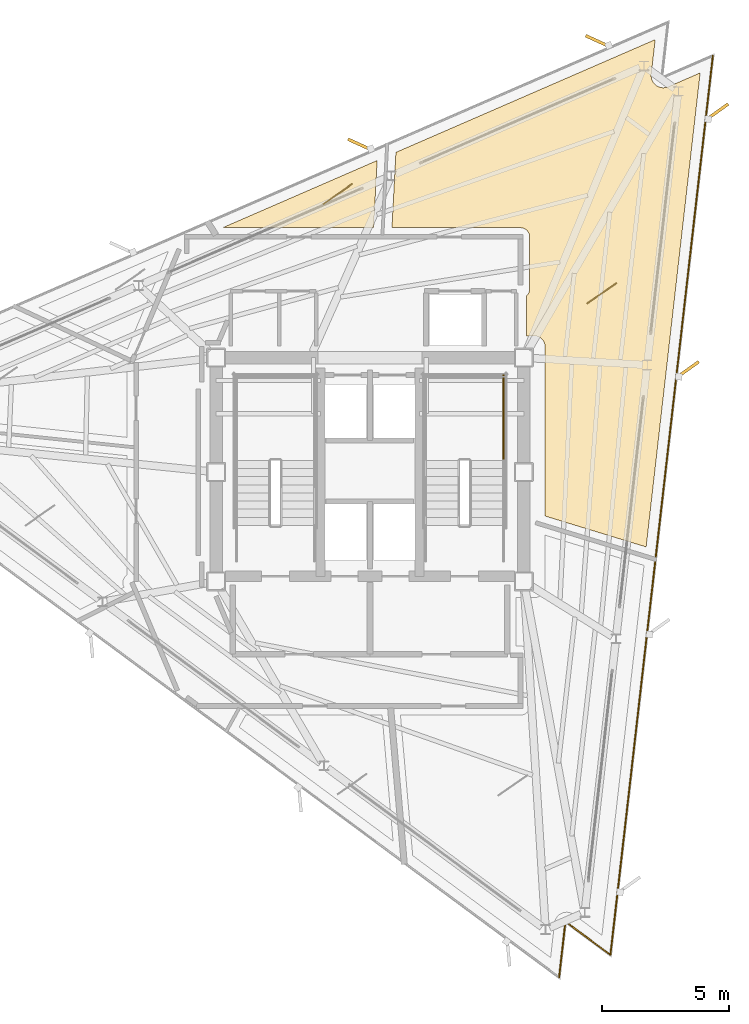
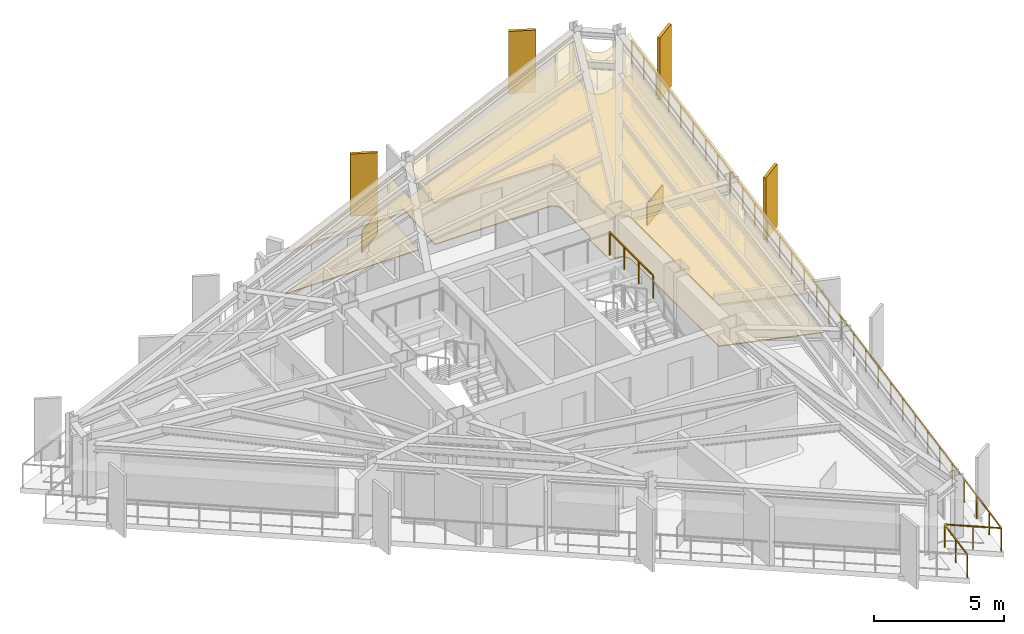
# One storey, part 10 of 10: 6 coverings, 4 shading devices, 2 railings.
"""IFC4 building model written with IfcOpenShell, lengths in metres."""

from ifc_helpers import new_model, si_unit, direction, frame, origin, origin_2d, place, context, subcontext, project, spatial, polyline, rectangle, outline, extrude, material, layer, layer_set, type_object, element, save


model = new_model("IFC4")

# Units and contexts
model_context = context("Model", 3, precision=1e-05, world=origin(), true_north=direction((0.0, 1.0)))
body_context = subcontext(model_context, "Body", "Model", "MODEL_VIEW")
ifc_project = project(units=[si_unit("LENGTHUNIT", "METRE"), si_unit("AREAUNIT", "SQUARE_METRE"), si_unit("VOLUMEUNIT", "CUBIC_METRE"), si_unit("PLANEANGLEUNIT", "RADIAN"), si_unit("MASSUNIT", "GRAM", prefix="KILO")], contexts=[model_context])

# Site, building, storey
site_placement = place(None, origin())
site = spatial("IfcSite", under=ifc_project, at=site_placement, CompositionType="ELEMENT")
building_placement = place(site_placement, origin())
building = spatial("IfcBuilding", under=site, at=building_placement, Name="Rocaltana Carrier Exchange", CompositionType="ELEMENT")
storey_placement = place(building_placement, frame((0.0, 0.0, 227.0400390625)))
storey = spatial("IfcBuildingStorey", under=building, at=storey_placement, Name="L72", CompositionType="ELEMENT", Elevation=227.0400390625)

# Coverings
ifc_material_1 = material(Name="Honed Bogota Sandstone Tile", Category="masonry")
ifc_layer_1 = layer(ifc_material_1, 0.0400390625)
ifc_layer_set_1 = layer_set([ifc_layer_1], Name="Honed Bogota Sandstone Tile")
covering_type_1 = type_object("IfcCoveringType", Name="Honed Stone Lobby Flooring 40", PredefinedType="FLOORING", material=ifc_layer_set_1)
covering_1_placement = place(storey_placement, origin())
element("IfcCovering", 1, at=covering_1_placement, inside=storey, type_object=covering_type_1, Name="L72 Cloud Architecture Office Finish Floor", PredefinedType="FLOORING", context=body_context, shape_type="SweptSolid", body=[
    extrude(outline(polyline([(6.159912109375, 6.931884765625), (6.16455078125, 6.93603515625), (6.18408203125, 6.955322265625), (6.189208984375, 6.961181640625), (6.206787109375, 6.982421875), (6.21142578125, 6.98876953125), (6.226806640625, 7.01171875), (6.230712890625, 7.018310546875), (6.24365234375, 7.04248046875), (6.2470703125, 7.0498046875), (6.257568359375, 7.0751953125), (6.26025390625, 7.08251953125), (6.268310546875, 7.108642578125), (6.27001953125, 7.116455078125), (6.275390625, 7.143310546875), (6.276611328125, 7.151123046875), (6.279296875, 7.178466796875), (6.27978515625, 7.186279296875), (6.280029296875, 7.199951171875), (6.280029296875, 9.25), (6.27978515625, 9.263671875), (6.279296875, 9.271484375), (6.276611328125, 9.298828125), (6.275390625, 9.306640625), (6.27001953125, 9.33349609375), (6.268310546875, 9.34130859375), (6.26025390625, 9.36767578125), (6.257568359375, 9.375), (6.2470703125, 9.400390625), (6.24365234375, 9.407470703125), (6.230712890625, 9.431640625), (6.226806640625, 9.4384765625), (6.21142578125, 9.461181640625), (6.206787109375, 9.467529296875), (6.189208984375, 9.48876953125), (6.18408203125, 9.49462890625), (6.16455078125, 9.513916015625), (6.15869140625, 9.519287109375), (6.137451171875, 9.53662109375), (6.131103515625, 9.54150390625), (6.1083984375, 9.556640625), (6.101806640625, 9.560791015625), (6.077392578125, 9.57373046875), (6.0703125, 9.576904296875), (6.044921875, 9.58740234375), (6.03759765625, 9.590087890625), (6.01123046875, 9.59814453125), (6.003662109375, 9.60009765625), (5.976806640625, 9.60546875), (5.968994140625, 9.606689453125), (5.941650390625, 9.609375), (5.93359375, 9.609619140625), (5.919921875, 9.610107421875), (0.864013671875, 9.610107421875), (1.01953125, 12.57421875), (11.217041015625, 17.00830078125), (11.06201171875, 15.648193359375), (11.060791015625, 15.634521484375), (11.0595703125, 15.614501953125), (11.05908203125, 15.586669921875), (11.059814453125, 15.566650390625), (11.062255859375, 15.538818359375), (11.06494140625, 15.51904296875), (11.070068359375, 15.49169921875), (11.07470703125, 15.472412109375), (11.08251953125, 15.445556640625), (11.089111328125, 15.4267578125), (11.099609375, 15.40087890625), (11.10791015625, 15.3828125), (11.12109375, 15.358154296875), (11.131103515625, 15.3408203125), (11.146484375, 15.317626953125), (11.158447265625, 15.301513671875), (11.176025390625, 15.27978515625), (11.189453125, 15.26513671875), (11.209228515625, 15.245361328125), (11.223876953125, 15.23193359375), (11.24560546875, 15.21435546875), (11.261474609375, 15.202392578125), (11.284912109375, 15.18701171875), (11.302001953125, 15.1767578125), (11.32666015625, 15.163818359375), (11.344482421875, 15.1552734375), (11.37060546875, 15.144775390625), (11.389404296875, 15.13818359375), (11.416015625, 15.130126953125), (11.435302734375, 15.12548828125), (11.462890625, 15.1201171875), (11.482666015625, 15.117431640625), (11.510498046875, 15.114990234375), (11.5302734375, 15.1142578125), (11.55810546875, 15.114501953125), (11.578125, 15.11572265625), (11.60595703125, 15.118896484375), (11.62548828125, 15.1220703125), (11.65283203125, 15.1279296875), (11.672119140625, 15.133056640625), (11.69873046875, 15.1416015625), (11.71728515625, 15.148681640625), (11.730224609375, 15.15380859375), (12.985595703125, 15.699462890625), (10.861328125, -2.944091796875), (6.889892578125, -1.72998046875), (6.889892578125, 4.919921875), (6.8896484375, 4.93359375), (6.888916015625, 4.949462890625), (6.88623046875, 4.976806640625), (6.8837890625, 4.9921875), (6.87841796875, 5.019287109375), (6.874755859375, 5.034423828125), (6.86669921875, 5.060791015625), (6.861572265625, 5.07568359375), (6.850830078125, 5.100830078125), (6.84423828125, 5.114990234375), (6.831298828125, 5.139404296875), (6.8232421875, 5.15283203125), (6.807861328125, 5.17578125), (6.798583984375, 5.188232421875), (6.781005859375, 5.20947265625), (6.7705078125, 5.22119140625), (6.751220703125, 5.240478515625), (6.739501953125, 5.251220703125), (6.71826171875, 5.2685546875), (6.705810546875, 5.27783203125), (6.682861328125, 5.293212890625), (6.66943359375, 5.30126953125), (6.64501953125, 5.314208984375), (6.630859375, 5.32080078125), (6.605712890625, 5.33154296875), (6.5908203125, 5.336669921875), (6.564453125, 5.3447265625), (6.54931640625, 5.348388671875), (6.522216796875, 5.35400390625), (6.5068359375, 5.356201171875), (6.4794921875, 5.35888671875), (6.463623046875, 5.359619140625), (6.449951171875, 5.360107421875), (6.159912109375, 5.360107421875), (6.159912109375, 6.931884765625)])), origin(), (0.0, 0.0, 1.0), 0.0400390625),
])
covering_2_placement = place(storey_placement, origin())
element("IfcCovering", 2, at=covering_2_placement, inside=storey, type_object=covering_type_1, Name="L72 Peering Conference Room Finish Floor", PredefinedType="FLOORING", context=body_context, shape_type="SweptSolid", body=[
    extrude(outline(polyline([(-5.797607421875, 9.610107421875), (0.28173828125, 12.25341796875), (0.14306640625, 9.610107421875), (-5.797607421875, 9.610107421875)])), origin(), (0.0, 0.0, 1.0), 0.0400390625),
])
ifc_material_2 = material(Name="Anodised Aluminium 6063-T6", Category="aluminium")
ifc_layer_2 = layer(ifc_material_2, 0.0849609375)
ifc_layer_set_2 = layer_set([ifc_layer_2], Name="Anodised Aluminium 6063-T6")
covering_type_2 = type_object("IfcCoveringType", Name="Linear Baffle Acoustic Ceiling 85", PredefinedType="CEILING", material=ifc_layer_set_2)
covering_3_placement = place(storey_placement, frame((0.0, 0.0, 1.903076171875)))
element("IfcCovering", 3, at=covering_3_placement, inside=storey, type_object=covering_type_2, Name="L72 Cloud Architecture Office Acoustic Ceiling", PredefinedType="CEILING", context=body_context, shape_type="SweptSolid", body=[
    extrude(outline(polyline([(6.159912109375, 6.931884765625), (6.16455078125, 6.93603515625), (6.18408203125, 6.955322265625), (6.189208984375, 6.961181640625), (6.206787109375, 6.982421875), (6.21142578125, 6.98876953125), (6.226806640625, 7.01171875), (6.230712890625, 7.018310546875), (6.24365234375, 7.04248046875), (6.2470703125, 7.0498046875), (6.257568359375, 7.0751953125), (6.26025390625, 7.08251953125), (6.268310546875, 7.108642578125), (6.27001953125, 7.116455078125), (6.275390625, 7.143310546875), (6.276611328125, 7.151123046875), (6.279296875, 7.178466796875), (6.27978515625, 7.186279296875), (6.280029296875, 7.199951171875), (6.280029296875, 9.25), (6.27978515625, 9.263671875), (6.279296875, 9.271484375), (6.276611328125, 9.298828125), (6.275390625, 9.306640625), (6.27001953125, 9.33349609375), (6.268310546875, 9.34130859375), (6.26025390625, 9.36767578125), (6.257568359375, 9.375), (6.2470703125, 9.400390625), (6.24365234375, 9.407470703125), (6.230712890625, 9.431640625), (6.226806640625, 9.4384765625), (6.21142578125, 9.461181640625), (6.206787109375, 9.467529296875), (6.189208984375, 9.48876953125), (6.18408203125, 9.49462890625), (6.16455078125, 9.513916015625), (6.15869140625, 9.519287109375), (6.137451171875, 9.53662109375), (6.131103515625, 9.54150390625), (6.1083984375, 9.556640625), (6.101806640625, 9.560791015625), (6.077392578125, 9.57373046875), (6.0703125, 9.576904296875), (6.044921875, 9.58740234375), (6.03759765625, 9.590087890625), (6.01123046875, 9.59814453125), (6.003662109375, 9.60009765625), (5.976806640625, 9.60546875), (5.968994140625, 9.606689453125), (5.941650390625, 9.609375), (5.93359375, 9.609619140625), (5.919921875, 9.610107421875), (0.864013671875, 9.610107421875), (1.01953125, 12.57421875), (11.217041015625, 17.00830078125), (11.06201171875, 15.648193359375), (11.060791015625, 15.634521484375), (11.0595703125, 15.614501953125), (11.05908203125, 15.586669921875), (11.059814453125, 15.566650390625), (11.062255859375, 15.538818359375), (11.06494140625, 15.51904296875), (11.070068359375, 15.49169921875), (11.07470703125, 15.472412109375), (11.08251953125, 15.445556640625), (11.089111328125, 15.4267578125), (11.099609375, 15.40087890625), (11.10791015625, 15.3828125), (11.12109375, 15.358154296875), (11.131103515625, 15.3408203125), (11.146484375, 15.317626953125), (11.158447265625, 15.301513671875), (11.176025390625, 15.27978515625), (11.189453125, 15.26513671875), (11.209228515625, 15.245361328125), (11.223876953125, 15.23193359375), (11.24560546875, 15.21435546875), (11.261474609375, 15.202392578125), (11.284912109375, 15.18701171875), (11.302001953125, 15.1767578125), (11.32666015625, 15.163818359375), (11.344482421875, 15.1552734375), (11.37060546875, 15.144775390625), (11.389404296875, 15.13818359375), (11.416015625, 15.130126953125), (11.435302734375, 15.12548828125), (11.462890625, 15.1201171875), (11.482666015625, 15.117431640625), (11.510498046875, 15.114990234375), (11.5302734375, 15.1142578125), (11.55810546875, 15.114501953125), (11.578125, 15.11572265625), (11.60595703125, 15.118896484375), (11.62548828125, 15.1220703125), (11.65283203125, 15.1279296875), (11.672119140625, 15.133056640625), (11.69873046875, 15.1416015625), (11.71728515625, 15.148681640625), (11.730224609375, 15.15380859375), (12.985595703125, 15.699462890625), (10.861328125, -2.944091796875), (6.889892578125, -1.72998046875), (6.889892578125, 4.919921875), (6.8896484375, 4.93359375), (6.888916015625, 4.949462890625), (6.88623046875, 4.976806640625), (6.8837890625, 4.9921875), (6.87841796875, 5.019287109375), (6.874755859375, 5.034423828125), (6.86669921875, 5.060791015625), (6.861572265625, 5.07568359375), (6.850830078125, 5.100830078125), (6.84423828125, 5.114990234375), (6.831298828125, 5.139404296875), (6.8232421875, 5.15283203125), (6.807861328125, 5.17578125), (6.798583984375, 5.188232421875), (6.781005859375, 5.20947265625), (6.7705078125, 5.22119140625), (6.751220703125, 5.240478515625), (6.739501953125, 5.251220703125), (6.71826171875, 5.2685546875), (6.705810546875, 5.27783203125), (6.682861328125, 5.293212890625), (6.66943359375, 5.30126953125), (6.64501953125, 5.314208984375), (6.630859375, 5.32080078125), (6.605712890625, 5.33154296875), (6.5908203125, 5.336669921875), (6.564453125, 5.3447265625), (6.54931640625, 5.348388671875), (6.522216796875, 5.35400390625), (6.5068359375, 5.356201171875), (6.4794921875, 5.35888671875), (6.463623046875, 5.359619140625), (6.449951171875, 5.360107421875), (6.159912109375, 5.360107421875), (6.159912109375, 6.931884765625)])), origin(), (0.0, 0.0, 1.0), 0.0849609375),
])
covering_4_placement = place(storey_placement, frame((0.0, 0.0, 1.903076171875)))
element("IfcCovering", 4, at=covering_4_placement, inside=storey, type_object=covering_type_2, Name="L72 Peering Conference Room Acoustic Ceiling", PredefinedType="CEILING", context=body_context, shape_type="SweptSolid", body=[
    extrude(outline(polyline([(-5.797607421875, 9.610107421875), (0.28173828125, 12.25341796875), (0.14306640625, 9.610107421875), (-5.797607421875, 9.610107421875)])), origin(), (0.0, 0.0, 1.0), 0.0849609375),
])

# Railing
ifc_material_3 = material(Name="Powder-Coated Aluminium 6063-T6", Category="aluminium")
ifc_layer_3 = layer(ifc_material_3, 0.048095703125)
ifc_layer_set_3 = layer_set([ifc_layer_3], Name="Powder-Coated Aluminium 6063-T6")
railing_type_1 = type_object("IfcRailingType", Name="Stair Well Guardrail 1100", PredefinedType="GUARDRAIL", material=ifc_layer_set_3)
railing_1_placement = place(storey_placement, frame((5.25, 0.4599609375, 1.52001953125)))
element("IfcRailing", 5, at=railing_1_placement, inside=storey, type_object=railing_type_1, Name="L72 ST-2 stair guard 3", PredefinedType="GUARDRAIL", context=body_context, shape_type="SweptSolid", body=[
    extrude(rectangle(XDim=0.048095703125, YDim=0.048095703125, at=origin_2d()), frame((0.0, 0.0, 1.076171875), z_axis=(0.0, 1.0, 0.0), x_axis=(-1.0, 0.0, 0.0)), (0.0, 0.0, 1.0), 3.340087890625),
    extrude(rectangle(XDim=0.0419921875, YDim=0.0419921875, at=origin_2d()), origin(), (0.0, 0.0, 1.0), 1.052001953125),
    extrude(rectangle(XDim=0.0419921875, YDim=0.0419921875, at=origin_2d()), frame((0.0, 1.11328125, 0.0)), (0.0, 0.0, 1.0), 1.052001953125),
    extrude(rectangle(XDim=0.0419921875, YDim=0.0419921875, at=origin_2d()), frame((0.0, 2.226806640625, 0.0)), (0.0, 0.0, 1.0), 1.052001953125),
    extrude(rectangle(XDim=0.0419921875, YDim=0.0419921875, at=origin_2d()), frame((0.0, 3.340087890625, 0.0)), (0.0, 0.0, 1.0), 1.052001953125),
])

# Coverings
ifc_material_4 = material(Name="Honed Piedra Muneca Sandstone", Category="masonry")
ifc_layer_4 = layer(ifc_material_4, 0.034912109375)
ifc_layer_set_4 = layer_set([ifc_layer_4], Name="Honed Piedra Muneca Sandstone")
covering_type_3 = type_object("IfcCoveringType", Name="Stone Facade Cladding 35", PredefinedType="CLADDING", material=ifc_layer_set_4)
for number, where, z_axis, x_axis, name in (
    (6, (9.117431640625, 7.030517578125, 0.0), (0.0, 0.0, 1.0), (0.819152044289, 0.573576436351, 0.0), "L72 Stone Facade Cladding Panel 4"),
    (7, (-1.272705078125, 10.931640625, 0.0), (0.0, 0.0, 1.0), (0.819152044289, 0.573576436351, 0.0), "L72 Stone Facade Cladding Panel 5"),
):
    element("IfcCovering", number, at=place(storey_placement, frame(where, z_axis=z_axis, x_axis=x_axis)), inside=storey, type_object=covering_type_3, Name=name, PredefinedType="CLADDING", context=body_context, shape_type="SweptSolid", body=[
        extrude(rectangle(XDim=1.39990234375, YDim=0.034912109375, at=origin_2d()), origin(), (0.0, 0.0, 1.0), 1.050048828125),
    ])

# Shading devices
ifc_material_5 = material(Name="Honed Bogota Sandstone & Concrete C45/55", Category="masonry")
ifc_layer_5 = layer(ifc_material_5, 0.1201171875)
ifc_layer_set_5 = layer_set([ifc_layer_5], Name="Honed Bogota Sandstone & Concrete C45/55")
shading_device_type = type_object("IfcShadingDeviceType", Name="Upper Sandstone Shading Fin 1050x120", PredefinedType="USERDEFINED", material=ifc_layer_set_5)
for number, where, z_axis, x_axis, name in (
    (8, (12.502197265625, 4.03515625, -0.1201171875), (0.0, 0.0, 1.0), (0.814115518356, 0.580702955711, 0.0), "L72 Sandstone Vertical Fin F1-03"),
    (9, (13.656982421875, 14.169677734375, -0.1201171875), (0.0, 0.0, 1.0), (0.814115518356, 0.580702955711, 0.0), "L72 Sandstone Vertical Fin F1-04"),
    (10, (8.96240234375, 16.944091796875, -0.1201171875), (0.0, 0.0, 1.0), (-0.909961270877, 0.414693242656, 0.0), "L72 Sandstone Vertical Fin F2-01"),
    (11, (-0.3916015625, 12.876953125, -0.1201171875), (0.0, 0.0, 1.0), (-0.909961270877, 0.414693242656, 0.0), "L72 Sandstone Vertical Fin F2-02"),
):
    element("IfcShadingDevice", number, at=place(storey_placement, frame(where, z_axis=z_axis, x_axis=x_axis)), inside=storey, type_object=shading_device_type, Name=name, ObjectType="FIN", PredefinedType="USERDEFINED", context=body_context, shape_type="SweptSolid", body=[
        extrude(rectangle(XDim=1.050048828125, YDim=0.1201171875, at=origin_2d()), origin(), (0.0, 0.0, 1.0), 2.91796875),
    ])

# Railing
ifc_material_6 = material(Name="Powder-Coated Aluminium 6063-T6", Category="aluminium")
ifc_layer_6 = layer(ifc_material_6, 0.06005859375)
ifc_layer_set_6 = layer_set([ifc_layer_6], Name="Powder-Coated Aluminium 6063-T6")
railing_type_2 = type_object("IfcRailingType", Name="Wind-Floor & Terrace Perimeter Guardrail 1100", PredefinedType="GUARDRAIL", material=ifc_layer_set_6)
railing_2_placement = place(storey_placement, frame((13.485107421875, 16.374755859375, 0.0)))
element("IfcRailing", 12, at=railing_2_placement, inside=storey, type_object=railing_type_2, Name="L72 Perimeter Balcony Guardrail 3", PredefinedType="GUARDRAIL", context=body_context, shape_type="SweptSolid", body=[
    extrude(rectangle(XDim=0.048095703125, YDim=0.048095703125, at=origin_2d()), frame((0.0, 0.0, 1.076171875), z_axis=(-0.113200877656, -0.99357212184, 0.0), x_axis=(0.99357212184, -0.113200877656, 0.0)), (0.0, 0.0, 1.0), 35.592041015625),
    extrude(rectangle(XDim=0.048095703125, YDim=0.048095703125, at=origin_2d()), frame((-4.029052734375, -35.36328125, 1.076171875), z_axis=(-0.803871612758, 0.59480284986, 0.0), x_axis=(-0.59480284986, -0.803871612758, 0.0)), (0.0, 0.0, 1.0), 2.199951171875),
    extrude(rectangle(XDim=0.048095703125, YDim=0.048095703125, at=origin_2d()), frame((-5.797607421875, -34.0546875, 1.076171875), z_axis=(-0.113183557839, -0.99357409499, 0.0), x_axis=(0.99357409499, -0.113183557839, 0.0)), (0.0, 0.0, 1.0), 2.2001953125),
    extrude(rectangle(XDim=0.0419921875, YDim=0.0419921875, at=origin_2d()), origin(), (0.0, 0.0, 1.0), 1.052001953125),
    extrude(rectangle(XDim=0.0419921875, YDim=0.0419921875, at=origin_2d()), frame((-0.13427734375, -1.1787109375, 0.0)), (0.0, 0.0, 1.0), 1.052001953125),
    extrude(rectangle(XDim=0.0419921875, YDim=0.0419921875, at=origin_2d()), frame((-0.2685546875, -2.357666015625, 0.0)), (0.0, 0.0, 1.0), 1.052001953125),
    extrude(rectangle(XDim=0.0419921875, YDim=0.0419921875, at=origin_2d()), frame((-0.40283203125, -3.536376953125, 0.0)), (0.0, 0.0, 1.0), 1.052001953125),
    extrude(rectangle(XDim=0.0419921875, YDim=0.0419921875, at=origin_2d()), frame((-0.537109375, -4.715087890625, 0.0)), (0.0, 0.0, 1.0), 1.052001953125),
    extrude(rectangle(XDim=0.0419921875, YDim=0.0419921875, at=origin_2d()), frame((-0.67138671875, -5.893798828125, 0.0)), (0.0, 0.0, 1.0), 1.052001953125),
    extrude(rectangle(XDim=0.0419921875, YDim=0.0419921875, at=origin_2d()), frame((-0.805908203125, -7.07275390625, 0.0)), (0.0, 0.0, 1.0), 1.052001953125),
    extrude(rectangle(XDim=0.0419921875, YDim=0.0419921875, at=origin_2d()), frame((-0.940185546875, -8.25146484375, 0.0)), (0.0, 0.0, 1.0), 1.052001953125),
    extrude(rectangle(XDim=0.0419921875, YDim=0.0419921875, at=origin_2d()), frame((-1.074462890625, -9.43017578125, 0.0)), (0.0, 0.0, 1.0), 1.052001953125),
    extrude(rectangle(XDim=0.0419921875, YDim=0.0419921875, at=origin_2d()), frame((-1.208740234375, -10.60888671875, 0.0)), (0.0, 0.0, 1.0), 1.052001953125),
    extrude(rectangle(XDim=0.0419921875, YDim=0.0419921875, at=origin_2d()), frame((-1.343017578125, -11.787841796875, 0.0)), (0.0, 0.0, 1.0), 1.052001953125),
    extrude(rectangle(XDim=0.0419921875, YDim=0.0419921875, at=origin_2d()), frame((-1.477294921875, -12.966552734375, 0.0)), (0.0, 0.0, 1.0), 1.052001953125),
    extrude(rectangle(XDim=0.0419921875, YDim=0.0419921875, at=origin_2d()), frame((-1.611572265625, -14.145263671875, 0.0)), (0.0, 0.0, 1.0), 1.052001953125),
    extrude(rectangle(XDim=0.0419921875, YDim=0.0419921875, at=origin_2d()), frame((-1.745849609375, -15.323974609375, 0.0)), (0.0, 0.0, 1.0), 1.052001953125),
    extrude(rectangle(XDim=0.0419921875, YDim=0.0419921875, at=origin_2d()), frame((-1.880126953125, -16.5029296875, 0.0)), (0.0, 0.0, 1.0), 1.052001953125),
    extrude(rectangle(XDim=0.0419921875, YDim=0.0419921875, at=origin_2d()), frame((-2.0146484375, -17.681640625, 0.0)), (0.0, 0.0, 1.0), 1.052001953125),
    extrude(rectangle(XDim=0.0419921875, YDim=0.0419921875, at=origin_2d()), frame((-2.14892578125, -18.8603515625, 0.0)), (0.0, 0.0, 1.0), 1.052001953125),
    extrude(rectangle(XDim=0.0419921875, YDim=0.0419921875, at=origin_2d()), frame((-2.283203125, -20.039306640625, 0.0)), (0.0, 0.0, 1.0), 1.052001953125),
    extrude(rectangle(XDim=0.0419921875, YDim=0.0419921875, at=origin_2d()), frame((-2.41748046875, -21.218017578125, 0.0)), (0.0, 0.0, 1.0), 1.052001953125),
    extrude(rectangle(XDim=0.0419921875, YDim=0.0419921875, at=origin_2d()), frame((-2.5517578125, -22.396728515625, 0.0)), (0.0, 0.0, 1.0), 1.052001953125),
    extrude(rectangle(XDim=0.0419921875, YDim=0.0419921875, at=origin_2d()), frame((-2.68603515625, -23.575439453125, 0.0)), (0.0, 0.0, 1.0), 1.052001953125),
    extrude(rectangle(XDim=0.0419921875, YDim=0.0419921875, at=origin_2d()), frame((-2.8203125, -24.75439453125, 0.0)), (0.0, 0.0, 1.0), 1.052001953125),
    extrude(rectangle(XDim=0.0419921875, YDim=0.0419921875, at=origin_2d()), frame((-2.95458984375, -25.93310546875, 0.0)), (0.0, 0.0, 1.0), 1.052001953125),
    extrude(rectangle(XDim=0.0419921875, YDim=0.0419921875, at=origin_2d()), frame((-3.0888671875, -27.11181640625, 0.0)), (0.0, 0.0, 1.0), 1.052001953125),
    extrude(rectangle(XDim=0.0419921875, YDim=0.0419921875, at=origin_2d()), frame((-3.22314453125, -28.29052734375, 0.0)), (0.0, 0.0, 1.0), 1.052001953125),
    extrude(rectangle(XDim=0.0419921875, YDim=0.0419921875, at=origin_2d()), frame((-3.357421875, -29.469482421875, 0.0)), (0.0, 0.0, 1.0), 1.052001953125),
    extrude(rectangle(XDim=0.0419921875, YDim=0.0419921875, at=origin_2d()), frame((-3.491943359375, -30.648193359375, 0.0)), (0.0, 0.0, 1.0), 1.052001953125),
    extrude(rectangle(XDim=0.0419921875, YDim=0.0419921875, at=origin_2d()), frame((-3.626220703125, -31.826904296875, 0.0)), (0.0, 0.0, 1.0), 1.052001953125),
    extrude(rectangle(XDim=0.0419921875, YDim=0.0419921875, at=origin_2d()), frame((-3.760498046875, -33.005615234375, 0.0)), (0.0, 0.0, 1.0), 1.052001953125),
    extrude(rectangle(XDim=0.0419921875, YDim=0.0419921875, at=origin_2d()), frame((-3.894775390625, -34.1845703125, 0.0)), (0.0, 0.0, 1.0), 1.052001953125),
    extrude(rectangle(XDim=0.0419921875, YDim=0.0419921875, at=origin_2d()), frame((-4.029052734375, -35.36328125, 0.0)), (0.0, 0.0, 1.0), 1.052001953125),
    extrude(rectangle(XDim=0.0419921875, YDim=0.0419921875, at=origin_2d()), frame((-4.913330078125, -34.708984375, 0.0)), (0.0, 0.0, 1.0), 1.052001953125),
    extrude(rectangle(XDim=0.0419921875, YDim=0.0419921875, at=origin_2d()), frame((-5.797607421875, -34.0546875, 0.0)), (0.0, 0.0, 1.0), 1.052001953125),
    extrude(rectangle(XDim=0.0419921875, YDim=0.0419921875, at=origin_2d()), frame((-5.922119140625, -35.147705078125, 0.0)), (0.0, 0.0, 1.0), 1.052001953125),
    extrude(rectangle(XDim=0.0419921875, YDim=0.0419921875, at=origin_2d()), frame((-6.046630859375, -36.24072265625, 0.0)), (0.0, 0.0, 1.0), 1.052001953125),
])

save(model, "model.ifc")
